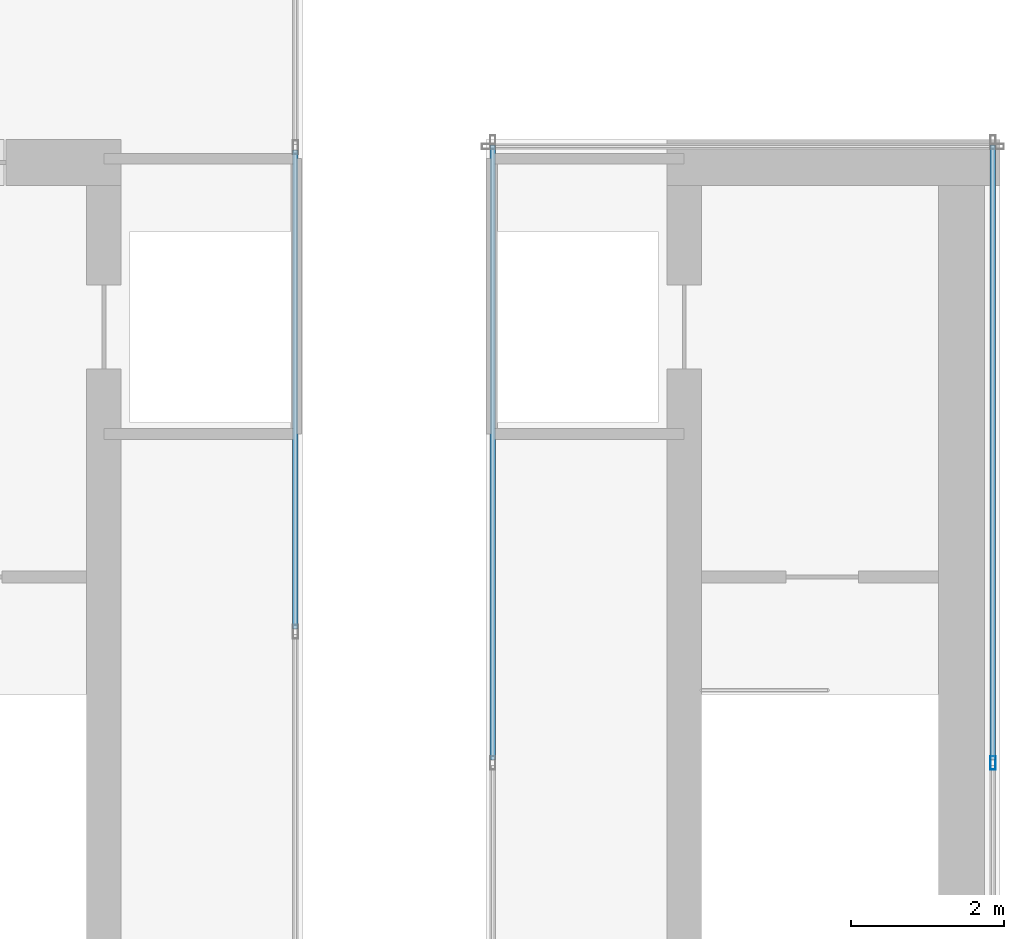
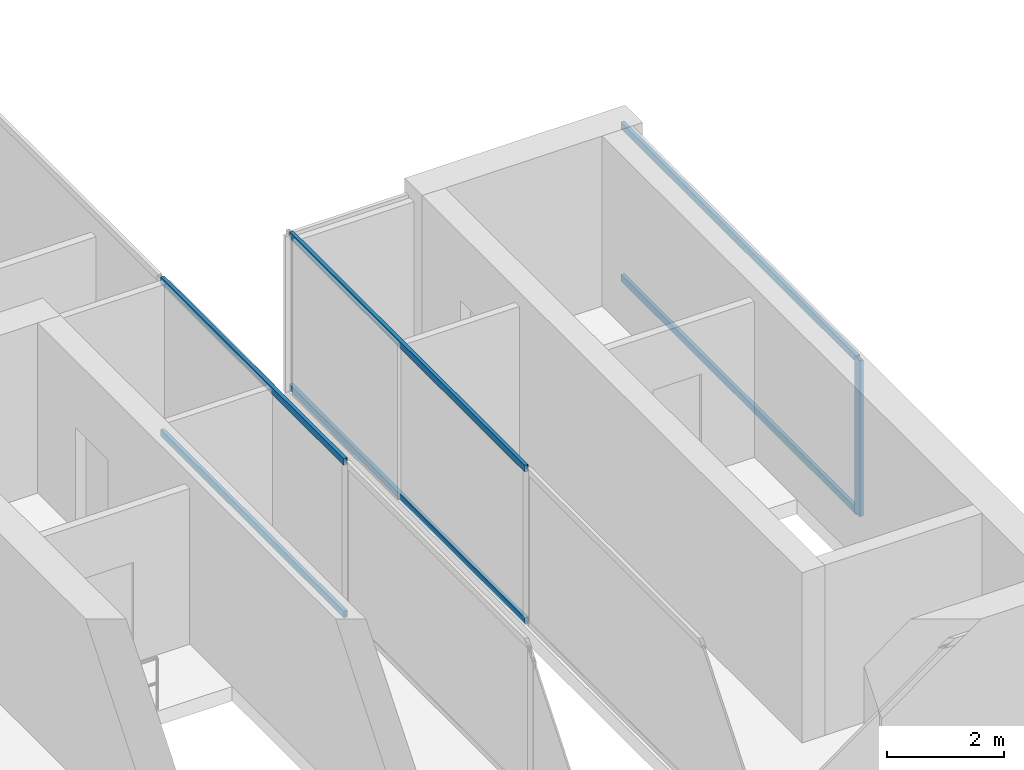
# One storey, part 6 of 16: 7 members, 3 elements without a shape of their own.
"""IFC4 building model written with IfcOpenShell, lengths in metres."""

from ifc_helpers import new_model, si_unit, direction, frame, origin, origin_2d, place, context, subcontext, project, spatial, hollow_rectangle, extrude, source, transform, mapped, material, material_profile, profile_set, type_object, type_shapes, element, aggregate, save


model = new_model("IFC4")

# Units and contexts
model_context = context("Model", 3, precision=1e-05, world=origin(), true_north=direction((0.0, 1.0)))
body_context = subcontext(model_context, "Body", "Model", "MODEL_VIEW")
ifc_project = project(units=[si_unit("LENGTHUNIT", "METRE"), si_unit("AREAUNIT", "SQUARE_METRE"), si_unit("VOLUMEUNIT", "CUBIC_METRE"), si_unit("PLANEANGLEUNIT", "RADIAN"), si_unit("MASSUNIT", "GRAM", prefix="KILO")], contexts=[model_context])

# Site, building, storey
site_placement = place(None, origin())
site = spatial("IfcSite", under=ifc_project, at=site_placement, CompositionType="ELEMENT")
building_placement = place(site_placement, origin())
building = spatial("IfcBuilding", under=site, at=building_placement, Name="Krantzveldt Concourse Tower", CompositionType="ELEMENT")
storey_placement = place(building_placement, frame((0.0, 0.0, 385.449951171875)))
storey = spatial("IfcBuildingStorey", under=building, at=storey_placement, Name="L95", CompositionType="ELEMENT", Elevation=385.449951171875)

# Curtain wall, members
ifc_material = material(Name="Anodised aluminium 6063-T6", Category="aluminium")
curtain_wall_type = type_object("IfcCurtainWallType", Name="CW7", PredefinedType="USERDEFINED", material=ifc_material)
curtain_wall_1_placement = place(storey_placement, origin())
curtain_wall_1 = element("IfcCurtainWall", 1, at=curtain_wall_1_placement, inside=storey, type_object=curtain_wall_type, Name="CW-L95-WEST-01", ObjectType="UNITISED CURTAIN WALL", PredefinedType="USERDEFINED")
ifc_material_profile_1 = material_profile(ifc_material, hollow_rectangle(XDim=0.070068359375, YDim=0.139892578125, WallThickness=0.0048828125, at=origin_2d()), Name="Anodised aluminium 6063-T6", Category="aluminium")
ifc_profile_set_1 = profile_set([ifc_material_profile_1], Name="Anodised aluminium 6063-T6 - ALU-TRAN 140x70x5")
member_type_1 = type_object("IfcMemberType", Name="CW-TRN-150", PredefinedType="USERDEFINED", material=ifc_profile_set_1)
shared_shape_1 = source(origin(), body_context, "Body", "SweptSolid", [
    extrude(hollow_rectangle(XDim=0.070068359375, YDim=0.139892578125, WallThickness=0.0048828125, at=origin_2d()), origin(), (0.0, 0.0, 1.0), 6.263427734375),
])
member_1_placement = place(storey_placement, frame((34.7099609375, 20.401611328125, 0.03515625), z_axis=(0.0, 1.0, 0.0), x_axis=(-1.0, 0.0, 0.0)))
member_1 = element("IfcMember", 2, at=member_1_placement, type_object=member_type_1, Name="CW-CRN transom 3.1", ObjectType="TRANSOM", PredefinedType="USERDEFINED", context=body_context, shape_type="MappedRepresentation", body=[
    mapped(shared_shape_1, transform((0.0, 0.0, 0.0), x_axis=(1.0, 0.0, 0.0), y_axis=(0.0, 1.0, 0.0), z_axis=(0.0, 0.0, 1.0), scale=1.0)),
])
member_2_placement = place(storey_placement, frame((34.7099609375, 20.401611328125, 3.215087890625), z_axis=(0.0, 1.0, 0.0), x_axis=(-1.0, 0.0, 0.0)))
member_2 = element("IfcMember", 3, at=member_2_placement, type_object=member_type_1, Name="CW-CRN transom 3.2", ObjectType="TRANSOM", PredefinedType="USERDEFINED", context=body_context, shape_type="MappedRepresentation", body=[
    mapped(shared_shape_1, transform((0.0, 0.0, 0.0), x_axis=(1.0, 0.0, 0.0), y_axis=(0.0, 1.0, 0.0), z_axis=(0.0, 0.0, 1.0), scale=1.0)),
])
aggregate(curtain_wall_1, [member_1, member_2])

curtain_wall_2_placement = place(storey_placement, origin())
curtain_wall_2 = element("IfcCurtainWall", 4, at=curtain_wall_2_placement, inside=storey, type_object=curtain_wall_type, Name="CW-L95-EAST-01", ObjectType="UNITISED CURTAIN WALL", PredefinedType="USERDEFINED")
shared_shape_2 = source(origin(), body_context, "Body", "SweptSolid", [
    extrude(hollow_rectangle(XDim=0.070068359375, YDim=0.139892578125, WallThickness=0.0048828125, at=origin_2d()), origin(), (0.0, 0.0, 1.0), 8.044921875),
])
type_shapes(member_type_1, [shared_shape_1, shared_shape_2])
member_3_placement = place(storey_placement, frame((43.830078125, 18.68505859375, 0.03515625), z_axis=(0.0, 1.0, 0.0), x_axis=(-1.0, 0.0, 0.0)))
member_3 = element("IfcMember", 5, at=member_3_placement, type_object=member_type_1, Name="CW-CRN transom 2.1", ObjectType="TRANSOM", PredefinedType="USERDEFINED", context=body_context, shape_type="MappedRepresentation", body=[
    mapped(shared_shape_2, transform((0.0, 0.0, 0.0), x_axis=(1.0, 0.0, 0.0), y_axis=(0.0, 1.0, 0.0), z_axis=(0.0, 0.0, 1.0), scale=1.0)),
])
member_4_placement = place(storey_placement, frame((43.830078125, 18.68505859375, 3.215087890625), z_axis=(0.0, 1.0, 0.0), x_axis=(-1.0, 0.0, 0.0)))
member_4 = element("IfcMember", 6, at=member_4_placement, type_object=member_type_1, Name="CW-CRN transom 2.2", ObjectType="TRANSOM", PredefinedType="USERDEFINED", context=body_context, shape_type="MappedRepresentation", body=[
    mapped(shared_shape_2, transform((0.0, 0.0, 0.0), x_axis=(1.0, 0.0, 0.0), y_axis=(0.0, 1.0, 0.0), z_axis=(0.0, 0.0, 1.0), scale=1.0)),
])

curtain_wall_3_placement = place(storey_placement, origin())
curtain_wall_3 = element("IfcCurtainWall", 7, at=curtain_wall_3_placement, inside=storey, type_object=curtain_wall_type, Name="CW-L95-EAST-03", ObjectType="UNITISED CURTAIN WALL", PredefinedType="USERDEFINED")
member_5_placement = place(storey_placement, frame((37.2900390625, 26.72998046875, 0.03515625), z_axis=(0.0, -1.0, 0.0), x_axis=(1.0, 0.0, 0.0)))
member_5 = element("IfcMember", 8, at=member_5_placement, type_object=member_type_1, Name="CW-CRN transom 1.1", ObjectType="TRANSOM", PredefinedType="USERDEFINED", context=body_context, shape_type="MappedRepresentation", body=[
    mapped(shared_shape_2, transform((0.0, 0.0, 0.0), x_axis=(1.0, 0.0, 0.0), y_axis=(0.0, 1.0, 0.0), z_axis=(0.0, 0.0, 1.0), scale=1.0)),
])
member_6_placement = place(storey_placement, frame((37.2900390625, 26.72998046875, 3.215087890625), z_axis=(0.0, -1.0, 0.0), x_axis=(1.0, 0.0, 0.0)))
member_6 = element("IfcMember", 9, at=member_6_placement, type_object=member_type_1, Name="CW-CRN transom 1.2", ObjectType="TRANSOM", PredefinedType="USERDEFINED", context=body_context, shape_type="MappedRepresentation", body=[
    mapped(shared_shape_2, transform((0.0, 0.0, 0.0), x_axis=(1.0, 0.0, 0.0), y_axis=(0.0, 1.0, 0.0), z_axis=(0.0, 0.0, 1.0), scale=1.0)),
])
aggregate(curtain_wall_3, [member_5, member_6])

# Member
ifc_material_profile_2 = material_profile(ifc_material, hollow_rectangle(XDim=0.070068359375, YDim=0.179931640625, WallThickness=0.0048828125, at=origin_2d()), Name="Anodised aluminium 6063-T6", Category="aluminium")
ifc_profile_set_2 = profile_set([ifc_material_profile_2], Name="Anodised aluminium 6063-T6 - ALU-MULL 180x70x5")
member_type_2 = type_object("IfcMemberType", Name="CW-MUL-180", PredefinedType="MULLION", material=ifc_profile_set_2)
shared_shape_3 = source(origin(), body_context, "Body", "SweptSolid", [
    extrude(hollow_rectangle(XDim=0.070068359375, YDim=0.179931640625, WallThickness=0.0048828125, at=origin_2d()), origin(), (0.0, 0.0, 1.0), 3.25),
])
type_shapes(member_type_2, [shared_shape_3])
member_7_placement = place(storey_placement, frame((43.830078125, 18.64990234375, 0.0), z_axis=(0.0, 0.0, 1.0), x_axis=(-1.0, 0.0, 0.0)))
member_7 = element("IfcMember", 10, at=member_7_placement, type_object=member_type_2, Name="CW-CRN mullion 2", PredefinedType="MULLION", context=body_context, shape_type="MappedRepresentation", body=[
    mapped(shared_shape_3, transform((0.0, 0.0, 0.0), x_axis=(1.0, 0.0, 0.0), y_axis=(0.0, 1.0, 0.0), z_axis=(0.0, 0.0, 1.0), scale=1.0)),
])

aggregate(curtain_wall_2, [member_7, member_3, member_4])

save(model, "model.ifc")
